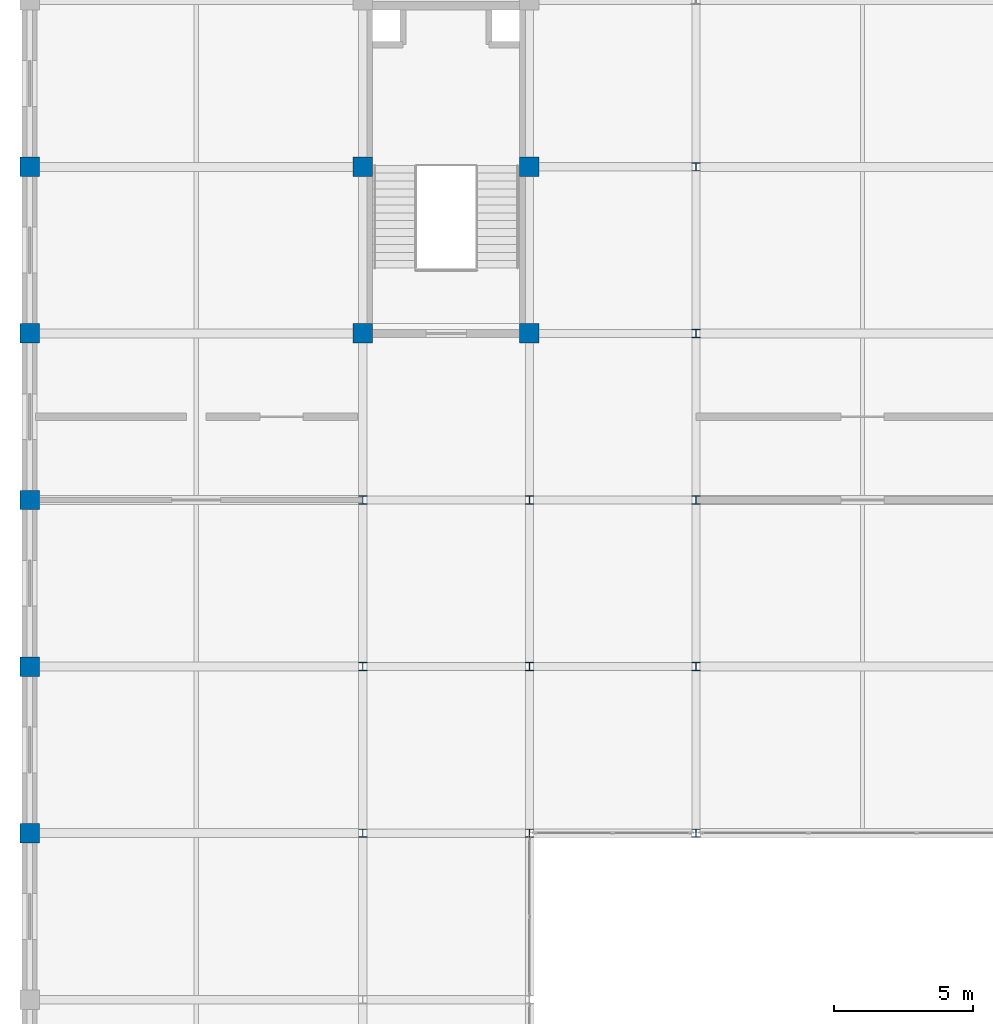
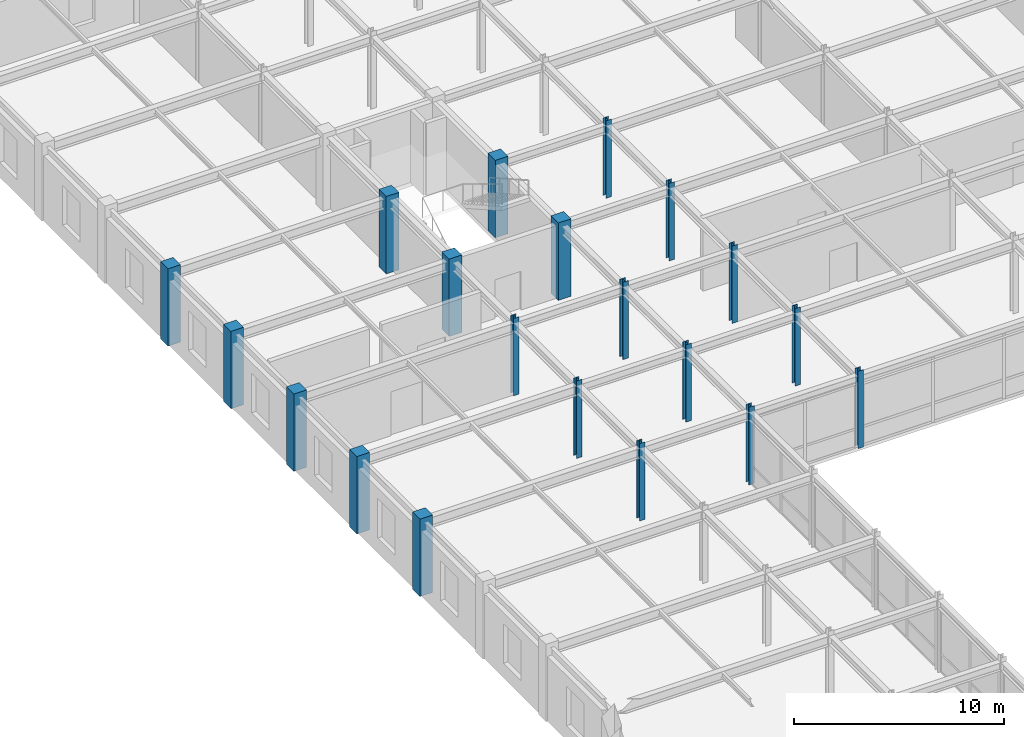
# One storey, part 10 of 108: 20 columns.
"""IFC4 building model written with IfcOpenShell, lengths in metres."""

from ifc_helpers import new_model, si_unit, direction, frame, origin, origin_2d, place, context, subcontext, project, spatial, rectangle, i_section, extrude, material, material_profile, profile_set, type_object, element, save


model = new_model("IFC4")

# Units and contexts
model_context = context("Model", 3, precision=1e-05, world=origin(), true_north=direction((0.0, 1.0)))
body_context = subcontext(model_context, "Body", "Model", "MODEL_VIEW")
ifc_project = project(units=[si_unit("LENGTHUNIT", "METRE"), si_unit("AREAUNIT", "SQUARE_METRE"), si_unit("VOLUMEUNIT", "CUBIC_METRE"), si_unit("PLANEANGLEUNIT", "RADIAN"), si_unit("MASSUNIT", "GRAM", prefix="KILO")], contexts=[model_context])

# Site, building, storey
site_placement = place(None, origin())
site = spatial("IfcSite", under=ifc_project, at=site_placement, CompositionType="ELEMENT")
building_placement = place(site_placement, origin())
building = spatial("IfcBuilding", under=site, at=building_placement, Name="Zlatovratsky Civic Hall", CompositionType="ELEMENT")
storey_placement = place(building_placement, frame((0.0, 0.0, 12.0)))
storey = spatial("IfcBuildingStorey", under=building, at=storey_placement, Name="L03", CompositionType="ELEMENT", Elevation=12.0)

# Columns
ifc_material_1 = material(Name="Concrete C35/45 (B40)", Category="concrete")
ifc_material_profile_1 = material_profile(ifc_material_1, rectangle(XDim=0.699951171875, YDim=0.699951171875, at=origin_2d()), Name="RC 700x700")
ifc_profile_set_1 = profile_set([ifc_material_profile_1], Name="Concrete C35/45 (B40)")
column_type_1 = type_object("IfcColumnType", Name="Col_CorePier_RC700", PredefinedType="COLUMN", material=ifc_profile_set_1)
for number, where, z_axis, x_axis, name in (
    (1, (0.0, 66.0, 0.0), (0.0, 0.0, 1.0), (1.0, 0.0, 0.0), "CL-1349"),
    (2, (0.0, 72.0, 0.0), (0.0, 0.0, 1.0), (1.0, 0.0, 0.0), "CL-1367"),
    (3, (0.0, 78.0, 0.0), (0.0, 0.0, 1.0), (1.0, 0.0, 0.0), "CL-1390"),
    (4, (0.0, 84.0, 0.0), (0.0, 0.0, 1.0), (1.0, 0.0, 0.0), "CL-1413"),
    (5, (12.0, 84.0, 0.0), (0.0, 0.0, 1.0), (1.0, 0.0, 0.0), "CL-1414"),
    (6, (18.0, 84.0, 0.0), (0.0, 0.0, 1.0), (1.0, 0.0, 0.0), "CL-1415"),
    (7, (0.0, 90.0, 0.0), (0.0, 0.0, 1.0), (1.0, 0.0, 0.0), "CL-1436"),
    (8, (12.0, 90.0, 0.0), (0.0, 0.0, 1.0), (1.0, 0.0, 0.0), "CL-1437"),
    (9, (18.0, 90.0, 0.0), (0.0, 0.0, 1.0), (1.0, 0.0, 0.0), "CL-1438"),
):
    element("IfcColumn", number, at=place(storey_placement, frame(where, z_axis=z_axis, x_axis=x_axis)), inside=storey, type_object=column_type_1, Name=name, PredefinedType="COLUMN", context=body_context, shape_type="SweptSolid", body=[
        extrude(rectangle(XDim=0.699951171875, YDim=0.699951171875, at=origin_2d()), origin(), (0.0, 0.0, 1.0), 4.5),
    ])
ifc_material_2 = material(Name="Steel S355", Category="steel")
ifc_material_profile_2 = material_profile(ifc_material_2, i_section(OverallWidth=0.299072265625, OverallDepth=0.2958984375, WebThickness=0.009033203125, FlangeThickness=0.013916015625, FilletRadius=0.01806640625, at=origin_2d()), Name="30K1")
ifc_profile_set_2 = profile_set([ifc_material_profile_2], Name="Steel S355")
column_type_2 = type_object("IfcColumnType", Name="Col_Steel_30K1", PredefinedType="COLUMN", material=ifc_profile_set_2)
for number, where, z_axis, x_axis, name in (
    (10, (12.0, 66.0, 0.0), (0.0, 0.0, 1.0), (1.0, 0.0, 0.0), "CL-1350"),
    (11, (18.0, 66.0, 0.0), (0.0, 0.0, 1.0), (1.0, 0.0, 0.0), "CL-1351"),
    (12, (24.0, 66.0, 0.0), (0.0, 0.0, 1.0), (1.0, 0.0, 0.0), "CL-1352"),
    (13, (12.0, 72.0, 0.0), (0.0, 0.0, 1.0), (1.0, 0.0, 0.0), "CL-1368"),
    (14, (18.0, 72.0, 0.0), (0.0, 0.0, 1.0), (1.0, 0.0, 0.0), "CL-1369"),
    (15, (24.0, 72.0, 0.0), (0.0, 0.0, 1.0), (1.0, 0.0, 0.0), "CL-1370"),
    (16, (12.0, 78.0, 0.0), (0.0, 0.0, 1.0), (1.0, 0.0, 0.0), "CL-1391"),
    (17, (18.0, 78.0, 0.0), (0.0, 0.0, 1.0), (1.0, 0.0, 0.0), "CL-1392"),
    (18, (24.0, 78.0, 0.0), (0.0, 0.0, 1.0), (1.0, 0.0, 0.0), "CL-1393"),
    (19, (24.0, 84.0, 0.0), (0.0, 0.0, 1.0), (1.0, 0.0, 0.0), "CL-1416"),
    (20, (24.0, 90.0, 0.0), (0.0, 0.0, 1.0), (1.0, 0.0, 0.0), "CL-1439"),
):
    element("IfcColumn", number, at=place(storey_placement, frame(where, z_axis=z_axis, x_axis=x_axis)), inside=storey, type_object=column_type_2, Name=name, PredefinedType="COLUMN", context=body_context, shape_type="SweptSolid", body=[
        extrude(i_section(OverallWidth=0.299072265625, OverallDepth=0.2958984375, WebThickness=0.009033203125, FlangeThickness=0.013916015625, FilletRadius=0.01806640625, at=origin_2d()), origin(), (0.0, 0.0, 1.0), 4.5),
    ])

save(model, "model.ifc")
